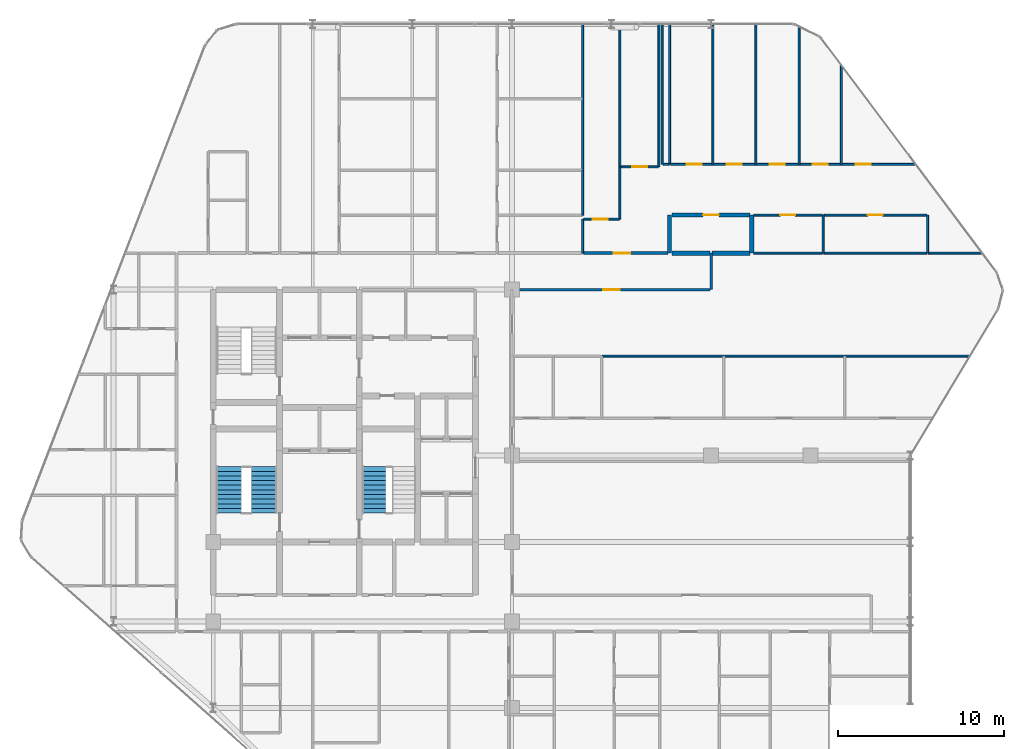
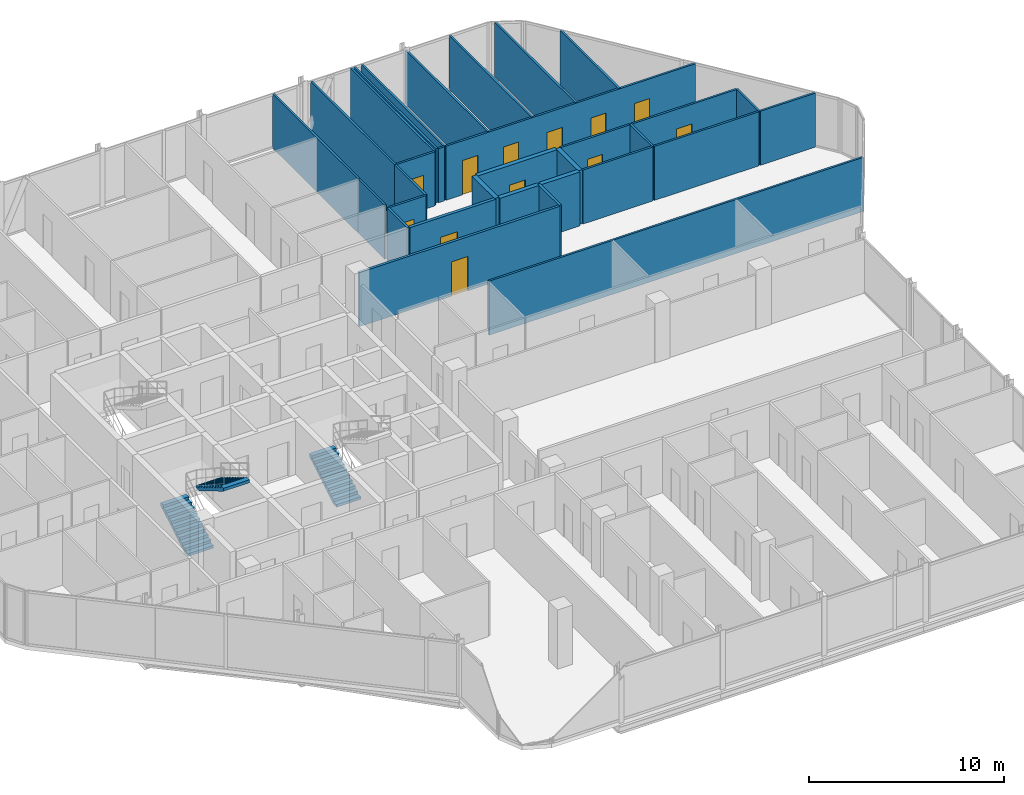
# One storey, part 30 of 32: 32 walls, 12 doors, 3 stair flights, 12 openings, 2 elements without a shape of their own.
"""IFC4 building model written with IfcOpenShell, lengths in metres."""

from ifc_helpers import new_model, si_unit, direction, frame, frame_2d, origin, place, context, subcontext, project, spatial, polyline, rectangle, outline, extrude, material, layer, layer_set, type_object, element, fill, aggregate, save


model = new_model("IFC4")

# Units and contexts
model_context = context("Model", 3, precision=1e-05, world=origin(), true_north=direction((0.0, 1.0)))
body_context = subcontext(model_context, "Body", "Model", "MODEL_VIEW")
ifc_project = project(units=[si_unit("LENGTHUNIT", "METRE"), si_unit("AREAUNIT", "SQUARE_METRE"), si_unit("VOLUMEUNIT", "CUBIC_METRE"), si_unit("PLANEANGLEUNIT", "RADIAN"), si_unit("MASSUNIT", "GRAM", prefix="KILO")], contexts=[model_context])

# Site, building, storey
site_placement = place(None, origin())
site = spatial("IfcSite", under=ifc_project, at=site_placement, CompositionType="ELEMENT")
building_placement = place(site_placement, origin())
building = spatial("IfcBuilding", under=site, at=building_placement, Name="Keshet Zoharim Tower", CompositionType="ELEMENT")
storey_placement = place(building_placement, frame((0.0, 0.0, 152.0)))
storey = spatial("IfcBuildingStorey", under=building, at=storey_placement, Name="L37", CompositionType="ELEMENT", Elevation=152.0)

# Wall
ifc_material_1 = material(Name="Gypsum Plasterboard", Category="gypsum")
ifc_layer_1 = layer(ifc_material_1, 0.14990234375)
ifc_layer_set_1 = layer_set([ifc_layer_1], Name="Gypsum Plasterboard")
wall_type_1 = type_object("IfcWallType", Name="WL-CLIN-150", PredefinedType="STANDARD", material=ifc_layer_set_1)
wall_1_placement = place(storey_placement, frame((45.0, 37.89990234375, 0.0), z_axis=(0.0, 0.0, 1.0), x_axis=(0.0, 1.0, 0.0)))
element("IfcWall", 1, at=wall_1_placement, inside=storey, type_object=wall_type_1, Name="L37 Interior Wall 094", PredefinedType="STANDARD", context=body_context, shape_type="SweptSolid", body=[
    extrude(rectangle(XDim=2.2001953125, YDim=0.14990234375, at=frame_2d((1.10009765625, 0.0))), origin(), (0.0, 0.0, 1.0), 3.385009765625),
])

# Wall, opening, door
wall_2_placement = place(storey_placement, frame((33.06005859375, 37.89990234375, 0.0), z_axis=(0.0, 0.0, 1.0), x_axis=(1.0, 0.0, 0.0)))
wall_2 = element("IfcWall", 2, at=wall_2_placement, inside=storey, type_object=wall_type_1, Name="L37 Interior Wall 191", PredefinedType="STANDARD", context=body_context, shape_type="SweptSolid", body=[
    extrude(rectangle(XDim=11.87890625, YDim=0.14990234375, at=frame_2d((5.939453125, 0.0))), origin(), (0.0, 0.0, 1.0), 3.385009765625),
])
opening_1_placement = place(wall_2_placement, frame((5.43896484375, 0.0, 0.0)))
opening_1 = element("IfcOpeningElement", 3, at=opening_1_placement, cuts=wall_2, Name="Opening D-F310", PredefinedType="OPENING", context=body_context, shape_type="SweptSolid", body=[
    extrude(rectangle(XDim=1.0, YDim=2.14990234375, at=frame_2d((0.5, 1.074951171875))), frame((0.0, 0.0849609375, 0.0), z_axis=(0.0, -1.0, 0.0), x_axis=(1.0, 0.0, 0.0)), (0.0, 0.0, 1.0), 0.169921875),
])
ifc_material_2 = material(Name="Hardwood Timber", Category="wood")
door_type_1 = type_object("IfcDoorType", Name="DR-FD30-100", OperationType="NOTDEFINED", PredefinedType="DOOR", material=ifc_material_2)
door_1_placement = place(opening_1_placement, origin())
door_1 = element("IfcDoor", 4, at=door_1_placement, inside=storey, type_object=door_type_1, Name="L37 North East Residents Services Suite Door 1", OperationType="SINGLE_SWING_LEFT", OverallHeight=2.14990234375, OverallWidth=1.0, PredefinedType="DOOR", context=body_context, shape_type="SweptSolid", body=[
    extrude(rectangle(XDim=1.0, YDim=2.14990234375, at=frame_2d((0.5, 1.074951171875))), frame((0.0, 0.02490234375, 0.0), z_axis=(0.0, -1.0, 0.0), x_axis=(1.0, 0.0, 0.0)), (0.0, 0.0, 1.0), 0.050048828125),
])
fill(opening_1, door_1)

ifc_layer_2 = layer(ifc_material_1, 0.179931640625)
ifc_layer_set_2 = layer_set([ifc_layer_2], Name="Gypsum Plasterboard")
wall_type_2 = type_object("IfcWallType", Name="WL-CORR-180", PredefinedType="STANDARD", material=ifc_layer_set_2)
wall_3_placement = place(storey_placement, frame((37.31494140625, 40.10009765625, 0.0), z_axis=(0.0, 0.0, 1.0), x_axis=(1.0, 0.0, 0.0)))
wall_3 = element("IfcWall", 5, at=wall_3_placement, inside=storey, type_object=wall_type_2, Name="L37 Interior Wall 201", PredefinedType="STANDARD", context=body_context, shape_type="SweptSolid", body=[
    extrude(rectangle(XDim=5.094970703125, YDim=0.179931640625, at=frame_2d((2.54736328125, 0.0))), origin(), (0.0, 0.0, 1.0), 3.385009765625),
])
opening_2_placement = place(wall_3_placement, frame((1.806884765625, 0.0, 0.0)))
opening_2 = element("IfcOpeningElement", 6, at=opening_2_placement, cuts=wall_3, Name="Opening D-F310", PredefinedType="OPENING", context=body_context, shape_type="SweptSolid", body=[
    extrude(rectangle(XDim=1.0, YDim=2.14990234375, at=frame_2d((0.5, 1.074951171875))), frame((0.0, 0.10009765625, 0.0), z_axis=(0.0, -1.0, 0.0), x_axis=(1.0, 0.0, 0.0)), (0.0, 0.0, 1.0), 0.199951171875),
])
door_2_placement = place(opening_2_placement, origin())
door_2 = element("IfcDoor", 7, at=door_2_placement, inside=storey, type_object=door_type_1, Name="Apartment 3709 Entrance Door", OperationType="SINGLE_SWING_LEFT", OverallHeight=2.14990234375, OverallWidth=1.0, PredefinedType="DOOR", context=body_context, shape_type="SweptSolid", body=[
    extrude(rectangle(XDim=1.0, YDim=2.14990234375, at=frame_2d((0.5, 1.074951171875))), frame((0.0, 0.02490234375, 0.0), z_axis=(0.0, -1.0, 0.0), x_axis=(1.0, 0.0, 0.0)), (0.0, 0.0, 1.0), 0.050048828125),
])
fill(opening_2, door_2)

# Walls
ifc_material_3 = material(Name="Concrete C50/60", Category="concrete")
ifc_layer_3 = layer(ifc_material_3, 0.25)
ifc_layer_set_3 = layer_set([ifc_layer_3], Name="Concrete C50/60")
wall_type_3 = type_object("IfcWallType", Name="WL-MAMAD-250", PredefinedType="STANDARD", material=ifc_layer_set_3)
for number, where, z_axis, x_axis, name in (
    (8, (42.5, 40.10009765625, 0.0), (0.0, 0.0, 1.0), (0.0, 1.0, 0.0), "L37 Interior Wall 092"),
    (9, (47.449951171875, 40.10009765625, 0.0), (0.0, 0.0, 1.0), (0.0, 1.0, 0.0), "L37 Interior Wall 100"),
):
    element("IfcWall", number, at=place(storey_placement, frame(where, z_axis=z_axis, x_axis=x_axis)), inside=storey, type_object=wall_type_3, Name=name, PredefinedType="STANDARD", context=body_context, shape_type="SweptSolid", body=[
        extrude(rectangle(XDim=2.2998046875, YDim=0.25, at=frame_2d((1.14990234375, 0.0))), origin(), (0.0, 0.0, 1.0), 3.385009765625),
    ])
wall_4_placement = place(storey_placement, frame((42.6298828125, 40.10009765625, 0.0), z_axis=(0.0, 0.0, 1.0), x_axis=(1.0, 0.0, 0.0)))
element("IfcWall", 10, at=wall_4_placement, inside=storey, type_object=wall_type_3, Name="L37 Interior Wall 202", PredefinedType="STANDARD", context=body_context, shape_type="SweptSolid", body=[
    extrude(rectangle(XDim=2.31005859375, YDim=0.25, at=frame_2d((1.155029296875, 0.0))), origin(), (0.0, 0.0, 1.0), 3.385009765625),
])
wall_5_placement = place(storey_placement, frame((45.06005859375, 40.10009765625, 0.0), z_axis=(0.0, 0.0, 1.0), x_axis=(1.0, 0.0, 0.0)))
element("IfcWall", 11, at=wall_5_placement, inside=storey, type_object=wall_type_3, Name="L37 Interior Wall 203", PredefinedType="STANDARD", context=body_context, shape_type="SweptSolid", body=[
    extrude(rectangle(XDim=2.284912109375, YDim=0.25, at=frame_2d((1.142578125, 0.0))), origin(), (0.0, 0.0, 1.0), 3.385009765625),
])

# Wall, opening, door
wall_6_placement = place(storey_placement, frame((42.6298828125, 42.39990234375, 0.0), z_axis=(0.0, 0.0, 1.0), x_axis=(1.0, 0.0, 0.0)))
wall_6 = element("IfcWall", 12, at=wall_6_placement, inside=storey, type_object=wall_type_3, Name="L37 Interior Wall 210", PredefinedType="STANDARD", context=body_context, shape_type="SweptSolid", body=[
    extrude(rectangle(XDim=4.715087890625, YDim=0.25, at=frame_2d((2.357421875, 0.0))), origin(), (0.0, 0.0, 1.0), 3.385009765625),
])
opening_3_placement = place(wall_6_placement, frame((1.883056640625, 0.0, 0.0)))
opening_3 = element("IfcOpeningElement", 13, at=opening_3_placement, cuts=wall_6, Name="Opening D-F695", PredefinedType="OPENING", context=body_context, shape_type="SweptSolid", body=[
    extrude(rectangle(XDim=0.949951171875, YDim=2.14990234375, at=frame_2d((0.47509765625, 1.074951171875))), frame((0.0, 0.135009765625, 0.0), z_axis=(0.0, -1.0, 0.0), x_axis=(1.0, 0.0, 0.0)), (0.0, 0.0, 1.0), 0.27001953125),
])
door_type_2 = type_object("IfcDoorType", Name="DR-FD60-095", OperationType="NOTDEFINED", PredefinedType="DOOR", material=ifc_material_2)
door_3_placement = place(opening_3_placement, origin())
door_3 = element("IfcDoor", 14, at=door_3_placement, inside=storey, type_object=door_type_2, Name="Apartment 3709 Study and Shelter Room Door", OperationType="SINGLE_SWING_LEFT", OverallHeight=2.14990234375, OverallWidth=0.949951171875, PredefinedType="DOOR", context=body_context, shape_type="SweptSolid", body=[
    extrude(rectangle(XDim=0.949951171875, YDim=2.14990234375, at=frame_2d((0.47509765625, 1.074951171875))), frame((0.0, 0.02490234375, 0.0), z_axis=(0.0, -1.0, 0.0), x_axis=(1.0, 0.0, 0.0)), (0.0, 0.0, 1.0), 0.050048828125),
])
fill(opening_3, door_3)

# Walls
ifc_layer_4 = layer(ifc_material_1, 0.1201171875)
ifc_layer_set_4 = layer_set([ifc_layer_4], Name="Gypsum Plasterboard")
wall_type_4 = type_object("IfcWallType", Name="WL-PART-120", PredefinedType="PARTITIONING", material=ifc_layer_set_4)
wall_7_placement = place(storey_placement, frame((37.25, 40.10009765625, 0.0), z_axis=(0.0, 0.0, 1.0), x_axis=(0.0, 1.0, 0.0)))
element("IfcWall", 15, at=wall_7_placement, inside=storey, type_object=wall_type_4, Name="L37 Interior Wall 078", PredefinedType="PARTITIONING", context=body_context, shape_type="SweptSolid", body=[
    extrude(rectangle(XDim=2.0498046875, YDim=0.1201171875, at=frame_2d((1.02490234375, 0.0))), origin(), (0.0, 0.0, 1.0), 3.385009765625),
])
wall_8_placement = place(storey_placement, frame((37.25, 45.10009765625, 0.0), z_axis=(0.0, 0.0, 1.0), x_axis=(0.0, 1.0, 0.0)))
element("IfcWall", 16, at=wall_8_placement, inside=storey, type_object=wall_type_4, Name="L37 Interior Wall 080", PredefinedType="PARTITIONING", context=body_context, shape_type="SweptSolid", body=[
    extrude(rectangle(XDim=8.789794921875, YDim=0.1201171875, at=frame_2d((4.39501953125, 0.0))), origin(), (0.0, 0.0, 1.0), 3.385009765625),
])
wall_9_placement = place(storey_placement, frame((39.5, 42.14990234375, 0.0), z_axis=(0.0, 0.0, 1.0), x_axis=(0.0, 1.0, 0.0)))
element("IfcWall", 17, at=wall_9_placement, inside=storey, type_object=wall_type_4, Name="L37 Interior Wall 085", PredefinedType="PARTITIONING", context=body_context, shape_type="SweptSolid", body=[
    extrude(rectangle(XDim=3.150146484375, YDim=0.1201171875, at=frame_2d((1.5751953125, 0.0))), origin(), (0.0, 0.0, 1.0), 3.385009765625),
])
for number, where, z_axis, x_axis, name in (
    (18, (39.5, 45.300048828125, 0.0), (0.0, 0.0, 1.0), (0.0, 1.0, 0.0), "L37 Interior Wall 086"),
    (19, (41.85009765625, 45.300048828125, 0.0), (0.0, 0.0, 1.0), (0.0, 1.0, 0.0), "L37 Interior Wall 087"),
):
    element("IfcWall", number, at=place(storey_placement, frame(where, z_axis=z_axis, x_axis=x_axis)), inside=storey, type_object=wall_type_4, Name=name, PredefinedType="PARTITIONING", context=body_context, shape_type="SweptSolid", body=[
        extrude(rectangle(XDim=8.58984375, YDim=0.1201171875, at=frame_2d((4.294921875, 0.0))), origin(), (0.0, 0.0, 1.0), 3.385009765625),
    ])
for number, where, z_axis, x_axis, name in (
    (20, (42.050048828125, 45.449951171875, 0.0), (0.0, 0.0, 1.0), (0.0, 1.0, 0.0), "L37 Interior Wall 091"),
    (21, (42.5, 45.449951171875, 0.0), (0.0, 0.0, 1.0), (0.0, 1.0, 0.0), "L37 Interior Wall 093"),
    (22, (45.10009765625, 45.449951171875, 0.0), (0.0, 0.0, 1.0), (0.0, 1.0, 0.0), "L37 Interior Wall 095"),
    (23, (47.699951171875, 45.449951171875, 0.0), (0.0, 0.0, 1.0), (0.0, 1.0, 0.0), "L37 Interior Wall 101"),
):
    element("IfcWall", number, at=place(storey_placement, frame(where, z_axis=z_axis, x_axis=x_axis)), inside=storey, type_object=wall_type_4, Name=name, PredefinedType="PARTITIONING", context=body_context, shape_type="SweptSolid", body=[
        extrude(rectangle(XDim=8.43994140625, YDim=0.1201171875, at=frame_2d((4.219970703125, 0.0))), origin(), (0.0, 0.0, 1.0), 3.385009765625),
    ])
wall_10_placement = place(storey_placement, frame((50.300048828125, 45.449951171875, 0.0), z_axis=(0.0, 0.0, 1.0), x_axis=(0.0, 1.0, 0.0)))
element("IfcWall", 24, at=wall_10_placement, inside=storey, type_object=wall_type_4, Name="L37 Interior Wall 105", PredefinedType="PARTITIONING", context=body_context, shape_type="SweptSolid", body=[
    extrude(rectangle(XDim=8.2900390625, YDim=0.1201171875, at=frame_2d((4.14501953125, 0.0))), origin(), (0.0, 0.0, 1.0), 3.385009765625),
])
wall_11_placement = place(storey_placement, frame((52.85009765625, 45.449951171875, 0.0), z_axis=(0.0, 0.0, 1.0), x_axis=(0.0, 1.0, 0.0)))
element("IfcWall", 25, at=wall_11_placement, inside=storey, type_object=wall_type_4, Name="L37 Interior Wall 110", PredefinedType="PARTITIONING", context=body_context, shape_type="SweptSolid", body=[
    extrude(rectangle(XDim=5.97314453125, YDim=0.1201171875, at=frame_2d((2.986572265625, 0.0))), origin(), (0.0, 0.0, 1.0), 3.385009765625),
])
wall_12_placement = place(storey_placement, frame((58.050048828125, 40.10009765625, 0.0), z_axis=(0.0, 0.0, 1.0), x_axis=(0.0, 1.0, 0.0)))
element("IfcWall", 26, at=wall_12_placement, inside=storey, type_object=wall_type_4, Name="L37 Interior Wall 113", PredefinedType="PARTITIONING", context=body_context, shape_type="SweptSolid", body=[
    extrude(rectangle(XDim=2.2998046875, YDim=0.1201171875, at=frame_2d((1.14990234375, 0.0))), origin(), (0.0, 0.0, 1.0), 3.385009765625),
])
wall_13_placement = place(storey_placement, frame((38.445068359375, 33.89990234375, 0.0), z_axis=(0.0, 0.0, 1.0), x_axis=(1.0, 0.0, 0.0)))
element("IfcWall", 27, at=wall_13_placement, inside=storey, type_object=wall_type_4, Name="L37 Interior Wall 181", PredefinedType="PARTITIONING", context=body_context, shape_type="SweptSolid", body=[
    extrude(rectangle(XDim=22.14501953125, YDim=0.1201171875, at=frame_2d((11.072509765625, 0.0))), origin(), (0.0, 0.0, 1.0), 3.385009765625),
])
wall_14_placement = place(storey_placement, frame((51.800048828125, 40.10009765625, 0.0), z_axis=(0.0, 0.0, 1.0), x_axis=(1.0, 0.0, 0.0)))
element("IfcWall", 28, at=wall_14_placement, inside=storey, type_object=wall_type_4, Name="L37 Interior Wall 205", PredefinedType="PARTITIONING", context=body_context, shape_type="SweptSolid", body=[
    extrude(rectangle(XDim=6.19287109375, YDim=0.1201171875, at=frame_2d((3.096435546875, 0.0))), origin(), (0.0, 0.0, 1.0), 3.385009765625),
])
wall_15_placement = place(storey_placement, frame((58.0830078125, 40.10009765625, 0.0), z_axis=(0.0, 0.0, 1.0), x_axis=(1.0, 0.0, 0.0)))
element("IfcWall", 29, at=wall_15_placement, inside=storey, type_object=wall_type_4, Name="L37 Interior Wall 206", PredefinedType="PARTITIONING", context=body_context, shape_type="SweptSolid", body=[
    extrude(rectangle(XDim=3.257080078125, YDim=0.1201171875, at=frame_2d((1.62841796875, 0.0))), origin(), (0.0, 0.0, 1.0), 3.385009765625),
])

# Wall, opening, door
wall_16_placement = place(storey_placement, frame((37.31494140625, 42.14990234375, 0.0), z_axis=(0.0, 0.0, 1.0), x_axis=(1.0, 0.0, 0.0)))
wall_16 = element("IfcWall", 30, at=wall_16_placement, inside=storey, type_object=wall_type_4, Name="L37 Interior Wall 207", PredefinedType="PARTITIONING", context=body_context, shape_type="SweptSolid", body=[
    extrude(rectangle(XDim=2.16015625, YDim=0.1201171875, at=frame_2d((1.080078125, 0.0))), origin(), (0.0, 0.0, 1.0), 3.385009765625),
])
opening_4_placement = place(wall_16_placement, frame((0.552978515625, 0.0, 0.0)))
opening_4 = element("IfcOpeningElement", 31, at=opening_4_placement, cuts=wall_16, Name="Opening D-IN90", PredefinedType="OPENING", context=body_context, shape_type="SweptSolid", body=[
    extrude(rectangle(XDim=0.89990234375, YDim=2.14990234375, at=frame_2d((0.449951171875, 1.074951171875))), frame((0.0, 0.070068359375, 0.0), z_axis=(0.0, -1.0, 0.0), x_axis=(1.0, 0.0, 0.0)), (0.0, 0.0, 1.0), 0.14013671875),
])
door_type_3 = type_object("IfcDoorType", Name="DR-INT-090", OperationType="NOTDEFINED", PredefinedType="DOOR", material=ifc_material_2)
door_4_placement = place(opening_4_placement, origin())
door_4 = element("IfcDoor", 32, at=door_4_placement, inside=storey, type_object=door_type_3, Name="Apartment 3709 Formal Dining Room Door", OperationType="SINGLE_SWING_RIGHT", OverallHeight=2.14990234375, OverallWidth=0.89990234375, PredefinedType="DOOR", context=body_context, shape_type="SweptSolid", body=[
    extrude(rectangle(XDim=0.89990234375, YDim=2.14990234375, at=frame_2d((0.449951171875, 1.074951171875))), frame((0.0, 0.02490234375, 0.0), z_axis=(0.0, -1.0, 0.0), x_axis=(1.0, 0.0, 0.0)), (0.0, 0.0, 1.0), 0.050048828125),
])
fill(opening_4, door_4)

wall_17_placement = place(storey_placement, frame((51.800048828125, 42.39990234375, 0.0), z_axis=(0.0, 0.0, 1.0), x_axis=(1.0, 0.0, 0.0)))
wall_17 = element("IfcWall", 33, at=wall_17_placement, inside=storey, type_object=wall_type_4, Name="L37 Interior Wall 212", PredefinedType="PARTITIONING", context=body_context, shape_type="SweptSolid", body=[
    extrude(rectangle(XDim=6.19287109375, YDim=0.1201171875, at=frame_2d((3.096435546875, 0.0))), origin(), (0.0, 0.0, 1.0), 3.385009765625),
])
opening_5_placement = place(wall_17_placement, frame((2.64697265625, 0.0, 0.0)))
opening_5 = element("IfcOpeningElement", 34, at=opening_5_placement, cuts=wall_17, Name="Opening D-IN90", PredefinedType="OPENING", context=body_context, shape_type="SweptSolid", body=[
    extrude(rectangle(XDim=0.89990234375, YDim=2.14990234375, at=frame_2d((0.449951171875, 1.074951171875))), frame((0.0, 0.070068359375, 0.0), z_axis=(0.0, -1.0, 0.0), x_axis=(1.0, 0.0, 0.0)), (0.0, 0.0, 1.0), 0.14013671875),
])
door_5_placement = place(opening_5_placement, origin())
door_5 = element("IfcDoor", 35, at=door_5_placement, inside=storey, type_object=door_type_3, Name="Apartment 3709 Kitchen Door", OperationType="SINGLE_SWING_LEFT", OverallHeight=2.14990234375, OverallWidth=0.89990234375, PredefinedType="DOOR", context=body_context, shape_type="SweptSolid", body=[
    extrude(rectangle(XDim=0.89990234375, YDim=2.14990234375, at=frame_2d((0.449951171875, 1.074951171875))), frame((0.0, 0.02490234375, 0.0), z_axis=(0.0, -1.0, 0.0), x_axis=(1.0, 0.0, 0.0)), (0.0, 0.0, 1.0), 0.050048828125),
])
fill(opening_5, door_5)

wall_18_placement = place(storey_placement, frame((39.56494140625, 45.300048828125, 0.0), z_axis=(0.0, 0.0, 1.0), x_axis=(1.0, 0.0, 0.0)))
wall_18 = element("IfcWall", 36, at=wall_18_placement, inside=storey, type_object=wall_type_4, Name="L37 Interior Wall 216", PredefinedType="PARTITIONING", context=body_context, shape_type="SweptSolid", body=[
    extrude(rectangle(XDim=2.260009765625, YDim=0.1201171875, at=frame_2d((1.1298828125, 0.0))), origin(), (0.0, 0.0, 1.0), 3.385009765625),
])
opening_6_placement = place(wall_18_placement, frame((0.679931640625, 0.0, 0.0)))
opening_6 = element("IfcOpeningElement", 37, at=opening_6_placement, cuts=wall_18, Name="Opening D-IN90", PredefinedType="OPENING", context=body_context, shape_type="SweptSolid", body=[
    extrude(rectangle(XDim=0.89990234375, YDim=2.14990234375, at=frame_2d((0.449951171875, 1.074951171875))), frame((0.0, 0.070068359375, 0.0), z_axis=(0.0, -1.0, 0.0), x_axis=(1.0, 0.0, 0.0)), (0.0, 0.0, 1.0), 0.14013671875),
])
door_6_placement = place(opening_6_placement, origin())
door_6 = element("IfcDoor", 38, at=door_6_placement, inside=storey, type_object=door_type_3, Name="Apartment 3709 Home Study Room Door", OperationType="SINGLE_SWING_RIGHT", OverallHeight=2.14990234375, OverallWidth=0.89990234375, PredefinedType="DOOR", context=body_context, shape_type="SweptSolid", body=[
    extrude(rectangle(XDim=0.89990234375, YDim=2.14990234375, at=frame_2d((0.449951171875, 1.074951171875))), frame((0.0, 0.02490234375, 0.0), z_axis=(0.0, -1.0, 0.0), x_axis=(1.0, 0.0, 0.0)), (0.0, 0.0, 1.0), 0.050048828125),
])
fill(opening_6, door_6)

# Wall
wall_19_placement = place(storey_placement, frame((42.114990234375, 45.449951171875, 0.0), z_axis=(0.0, 0.0, 1.0), x_axis=(1.0, 0.0, 0.0)))
element("IfcWall", 39, at=wall_19_placement, inside=storey, type_object=wall_type_4, Name="L37 Interior Wall 217", PredefinedType="PARTITIONING", context=body_context, shape_type="SweptSolid", body=[
    extrude(rectangle(XDim=0.360107421875, YDim=0.1201171875, at=frame_2d((0.18017578125, 0.0))), origin(), (0.0, 0.0, 1.0), 3.385009765625),
])

# Wall, openings, doors
wall_20_placement = place(storey_placement, frame((42.56494140625, 45.449951171875, 0.0), z_axis=(0.0, 0.0, 1.0), x_axis=(1.0, 0.0, 0.0)))
wall_20 = element("IfcWall", 40, at=wall_20_placement, inside=storey, type_object=wall_type_4, Name="L37 Interior Wall 218", PredefinedType="PARTITIONING", context=body_context, shape_type="SweptSolid", body=[
    extrude(rectangle(XDim=14.762939453125, YDim=0.1201171875, at=frame_2d((7.38134765625, 0.0))), origin(), (0.0, 0.0, 1.0), 3.385009765625),
])
opening_7_placement = place(wall_20_placement, frame((0.972900390625, 0.0, 0.0)))
opening_7 = element("IfcOpeningElement", 41, at=opening_7_placement, cuts=wall_20, Name="Opening D-IN90", PredefinedType="OPENING", context=body_context, shape_type="SweptSolid", body=[
    extrude(rectangle(XDim=0.89990234375, YDim=2.14990234375, at=frame_2d((0.449951171875, 1.074951171875))), frame((0.0, 0.070068359375, 0.0), z_axis=(0.0, -1.0, 0.0), x_axis=(1.0, 0.0, 0.0)), (0.0, 0.0, 1.0), 0.14013671875),
])
opening_8_placement = place(wall_20_placement, frame((3.385009765625, 0.0, 0.0)))
opening_8 = element("IfcOpeningElement", 42, at=opening_8_placement, cuts=wall_20, Name="Opening D-IN90", PredefinedType="OPENING", context=body_context, shape_type="SweptSolid", body=[
    extrude(rectangle(XDim=0.89990234375, YDim=2.14990234375, at=frame_2d((0.449951171875, 1.074951171875))), frame((0.0, 0.070068359375, 0.0), z_axis=(0.0, -1.0, 0.0), x_axis=(1.0, 0.0, 0.0)), (0.0, 0.0, 1.0), 0.14013671875),
])
opening_9_placement = place(wall_20_placement, frame((5.970947265625, 0.0, 0.0)))
opening_9 = element("IfcOpeningElement", 43, at=opening_9_placement, cuts=wall_20, Name="Opening D-IN90", PredefinedType="OPENING", context=body_context, shape_type="SweptSolid", body=[
    extrude(rectangle(XDim=0.89990234375, YDim=2.14990234375, at=frame_2d((0.449951171875, 1.074951171875))), frame((0.0, 0.070068359375, 0.0), z_axis=(0.0, -1.0, 0.0), x_axis=(1.0, 0.0, 0.0)), (0.0, 0.0, 1.0), 0.14013671875),
])
opening_10_placement = place(wall_20_placement, frame((8.556884765625, 0.0, 0.0)))
opening_10 = element("IfcOpeningElement", 44, at=opening_10_placement, cuts=wall_20, Name="Opening D-IN90", PredefinedType="OPENING", context=body_context, shape_type="SweptSolid", body=[
    extrude(rectangle(XDim=0.89990234375, YDim=2.14990234375, at=frame_2d((0.449951171875, 1.074951171875))), frame((0.0, 0.070068359375, 0.0), z_axis=(0.0, -1.0, 0.0), x_axis=(1.0, 0.0, 0.0)), (0.0, 0.0, 1.0), 0.14013671875),
])
opening_11_placement = place(wall_20_placement, frame((11.14404296875, 0.0, 0.0)))
opening_11 = element("IfcOpeningElement", 45, at=opening_11_placement, cuts=wall_20, Name="Opening D-IN90", PredefinedType="OPENING", context=body_context, shape_type="SweptSolid", body=[
    extrude(rectangle(XDim=0.89990234375, YDim=2.14990234375, at=frame_2d((0.449951171875, 1.074951171875))), frame((0.0, 0.070068359375, 0.0), z_axis=(0.0, -1.0, 0.0), x_axis=(1.0, 0.0, 0.0)), (0.0, 0.0, 1.0), 0.14013671875),
])
door_7_placement = place(opening_7_placement, origin())
door_7 = element("IfcDoor", 46, at=door_7_placement, inside=storey, type_object=door_type_3, Name="Apartment 3709 Bedroom 1 Door", OperationType="SINGLE_SWING_LEFT", OverallHeight=2.14990234375, OverallWidth=0.89990234375, PredefinedType="DOOR", context=body_context, shape_type="SweptSolid", body=[
    extrude(rectangle(XDim=0.89990234375, YDim=2.14990234375, at=frame_2d((0.449951171875, 1.074951171875))), frame((0.0, 0.02490234375, 0.0), z_axis=(0.0, -1.0, 0.0), x_axis=(1.0, 0.0, 0.0)), (0.0, 0.0, 1.0), 0.050048828125),
])
fill(opening_7, door_7)
door_8_placement = place(opening_8_placement, origin())
door_8 = element("IfcDoor", 47, at=door_8_placement, inside=storey, type_object=door_type_3, Name="Apartment 3709 Bedroom 2 Door", OperationType="SINGLE_SWING_RIGHT", OverallHeight=2.14990234375, OverallWidth=0.89990234375, PredefinedType="DOOR", context=body_context, shape_type="SweptSolid", body=[
    extrude(rectangle(XDim=0.89990234375, YDim=2.14990234375, at=frame_2d((0.449951171875, 1.074951171875))), frame((0.0, 0.02490234375, 0.0), z_axis=(0.0, -1.0, 0.0), x_axis=(1.0, 0.0, 0.0)), (0.0, 0.0, 1.0), 0.050048828125),
])
fill(opening_8, door_8)
door_9_placement = place(opening_9_placement, origin())
door_9 = element("IfcDoor", 48, at=door_9_placement, inside=storey, type_object=door_type_3, Name="Apartment 3709 Bedroom 3 Door", OperationType="SINGLE_SWING_LEFT", OverallHeight=2.14990234375, OverallWidth=0.89990234375, PredefinedType="DOOR", context=body_context, shape_type="SweptSolid", body=[
    extrude(rectangle(XDim=0.89990234375, YDim=2.14990234375, at=frame_2d((0.449951171875, 1.074951171875))), frame((0.0, 0.02490234375, 0.0), z_axis=(0.0, -1.0, 0.0), x_axis=(1.0, 0.0, 0.0)), (0.0, 0.0, 1.0), 0.050048828125),
])
fill(opening_9, door_9)
door_10_placement = place(opening_10_placement, origin())
door_10 = element("IfcDoor", 49, at=door_10_placement, inside=storey, type_object=door_type_3, Name="Apartment 3709 Bedroom 4 Door", OperationType="SINGLE_SWING_RIGHT", OverallHeight=2.14990234375, OverallWidth=0.89990234375, PredefinedType="DOOR", context=body_context, shape_type="SweptSolid", body=[
    extrude(rectangle(XDim=0.89990234375, YDim=2.14990234375, at=frame_2d((0.449951171875, 1.074951171875))), frame((0.0, 0.02490234375, 0.0), z_axis=(0.0, -1.0, 0.0), x_axis=(1.0, 0.0, 0.0)), (0.0, 0.0, 1.0), 0.050048828125),
])
fill(opening_10, door_10)
door_11_placement = place(opening_11_placement, origin())
door_11 = element("IfcDoor", 50, at=door_11_placement, inside=storey, type_object=door_type_3, Name="Apartment 3709 Bedroom 5 Door", OperationType="SINGLE_SWING_LEFT", OverallHeight=2.14990234375, OverallWidth=0.89990234375, PredefinedType="DOOR", context=body_context, shape_type="SweptSolid", body=[
    extrude(rectangle(XDim=0.89990234375, YDim=2.14990234375, at=frame_2d((0.449951171875, 1.074951171875))), frame((0.0, 0.02490234375, 0.0), z_axis=(0.0, -1.0, 0.0), x_axis=(1.0, 0.0, 0.0)), (0.0, 0.0, 1.0), 0.050048828125),
])
fill(opening_11, door_11)

# Walls
ifc_layer_5 = layer(ifc_material_1, 0.1201171875)
ifc_layer_set_5 = layer_set([ifc_layer_5], Name="Gypsum Plasterboard")
wall_type_5 = type_object("IfcWallType", Name="WL-WET-120", PredefinedType="PARTITIONING", material=ifc_layer_set_5)
wall_21_placement = place(storey_placement, frame((37.25, 42.39990234375, 0.0), z_axis=(0.0, 0.0, 1.0), x_axis=(0.0, 1.0, 0.0)))
element("IfcWall", 51, at=wall_21_placement, inside=storey, type_object=wall_type_5, Name="L37 Interior Wall 079", PredefinedType="PARTITIONING", context=body_context, shape_type="SweptSolid", body=[
    extrude(rectangle(XDim=2.7001953125, YDim=0.1201171875, at=frame_2d((1.35009765625, 0.0))), origin(), (0.0, 0.0, 1.0), 3.385009765625),
])
wall_22_placement = place(storey_placement, frame((51.75, 40.10009765625, 0.0), z_axis=(0.0, 0.0, 1.0), x_axis=(0.0, 1.0, 0.0)))
element("IfcWall", 52, at=wall_22_placement, inside=storey, type_object=wall_type_5, Name="L37 Interior Wall 106", PredefinedType="PARTITIONING", context=body_context, shape_type="SweptSolid", body=[
    extrude(rectangle(XDim=2.2998046875, YDim=0.1201171875, at=frame_2d((1.14990234375, 0.0))), origin(), (0.0, 0.0, 1.0), 3.385009765625),
])
wall_23_placement = place(storey_placement, frame((47.56494140625, 40.10009765625, 0.0), z_axis=(0.0, 0.0, 1.0), x_axis=(1.0, 0.0, 0.0)))
element("IfcWall", 53, at=wall_23_placement, inside=storey, type_object=wall_type_5, Name="L37 Interior Wall 204", PredefinedType="PARTITIONING", context=body_context, shape_type="SweptSolid", body=[
    extrude(rectangle(XDim=4.14501953125, YDim=0.1201171875, at=frame_2d((2.072509765625, 0.0))), origin(), (0.0, 0.0, 1.0), 3.385009765625),
])

# Wall, opening, door
wall_24_placement = place(storey_placement, frame((47.56494140625, 42.39990234375, 0.0), z_axis=(0.0, 0.0, 1.0), x_axis=(1.0, 0.0, 0.0)))
wall_24 = element("IfcWall", 54, at=wall_24_placement, inside=storey, type_object=wall_type_5, Name="L37 Interior Wall 211", PredefinedType="PARTITIONING", context=body_context, shape_type="SweptSolid", body=[
    extrude(rectangle(XDim=4.14501953125, YDim=0.1201171875, at=frame_2d((2.072509765625, 0.0))), origin(), (0.0, 0.0, 1.0), 3.385009765625),
])
opening_12_placement = place(wall_24_placement, frame((1.590087890625, 0.0, 0.0)))
opening_12 = element("IfcOpeningElement", 55, at=opening_12_placement, cuts=wall_24, Name="Opening D-WT90", PredefinedType="OPENING", context=body_context, shape_type="SweptSolid", body=[
    extrude(rectangle(XDim=0.89990234375, YDim=2.10009765625, at=frame_2d((0.449951171875, 1.050048828125))), frame((0.0, 0.070068359375, 0.0), z_axis=(0.0, -1.0, 0.0), x_axis=(1.0, 0.0, 0.0)), (0.0, 0.0, 1.0), 0.14013671875),
])
door_type_4 = type_object("IfcDoorType", Name="DR-WET-090", OperationType="NOTDEFINED", PredefinedType="DOOR", material=ifc_material_2)
door_12_placement = place(opening_12_placement, origin())
door_12 = element("IfcDoor", 56, at=door_12_placement, inside=storey, type_object=door_type_4, Name="Apartment 3709 Bathroom Door", OperationType="SINGLE_SWING_RIGHT", OverallHeight=2.10009765625, OverallWidth=0.89990234375, PredefinedType="DOOR", context=body_context, shape_type="SweptSolid", body=[
    extrude(rectangle(XDim=0.89990234375, YDim=2.10009765625, at=frame_2d((0.449951171875, 1.050048828125))), frame((0.0, 0.02490234375, 0.0), z_axis=(0.0, -1.0, 0.0), x_axis=(1.0, 0.0, 0.0)), (0.0, 0.0, 1.0), 0.050048828125),
])
fill(opening_12, door_12)

# Stair, stair flights
stair_type = type_object("IfcStairType", Name="STR-EXIT-135", PredefinedType="HALF_TURN_STAIR", material=ifc_material_3)
stair_1_placement = place(storey_placement, origin())
stair_1 = element("IfcStair", 57, at=stair_1_placement, inside=storey, type_object=stair_type, Name="L37 Enclosed Exit Stair ST-01", PredefinedType="HALF_TURN_STAIR")
stair_flight_type_1 = type_object("IfcStairFlightType", Name="FLT-PRE-135", PredefinedType="STRAIGHT", material=ifc_material_3)
stair_flight_1_placement = place(storey_placement, frame((15.945068359375, 24.43994140625, 0.0), z_axis=(0.0, 0.0, 1.0), x_axis=(0.0, 1.0, 0.0)))
stair_flight_1 = element("IfcStairFlight", 58, at=stair_flight_1_placement, type_object=stair_flight_type_1, Name="ST-01 flight 1", NumberOfRisers=11, NumberOfTreads=10, PredefinedType="STRAIGHT", RiserHeight=0.168182, TreadLength=0.28, context=body_context, shape_type="SweptSolid", body=[
    extrude(outline(polyline([(0.0, 0.0), (0.0, 0.168212890625), (0.280029296875, 0.168212890625), (0.280029296875, 0.33642578125), (0.56005859375, 0.33642578125), (0.56005859375, 0.504638671875), (0.840087890625, 0.504638671875), (0.840087890625, 0.672607421875), (1.1201171875, 0.672607421875), (1.1201171875, 0.8408203125), (1.39990234375, 0.8408203125), (1.39990234375, 1.009033203125), (1.679931640625, 1.009033203125), (1.679931640625, 1.17724609375), (1.9599609375, 1.17724609375), (1.9599609375, 1.345458984375), (2.239990234375, 1.345458984375), (2.239990234375, 1.513671875), (2.52001953125, 1.513671875), (2.52001953125, 1.681884765625), (2.800048828125, 1.681884765625), (2.800048828125, 1.85009765625), (2.800048828125, 1.495361328125), (0.310546875, 0.0), (0.0, 0.0)])), frame((0.0, 0.76513671875, 0.0), z_axis=(0.0, -1.0, 0.0), x_axis=(1.0, 0.0, 0.0)), (0.0, 0.0, 1.0), 1.530029296875),
])
stair_flight_2_placement = place(storey_placement, frame((18.054931640625, 27.239990234375, 1.85009765625), z_axis=(0.0, 0.0, 1.0), x_axis=(0.0, -1.0, 0.0)))
stair_flight_2 = element("IfcStairFlight", 59, at=stair_flight_2_placement, type_object=stair_flight_type_1, Name="ST-01 flight 2", NumberOfRisers=11, NumberOfTreads=10, PredefinedType="STRAIGHT", RiserHeight=0.168182, TreadLength=0.28, context=body_context, shape_type="SweptSolid", body=[
    extrude(outline(polyline([(0.0, 0.0), (0.0, 0.168212890625), (0.280029296875, 0.168212890625), (0.280029296875, 0.33642578125), (0.56005859375, 0.33642578125), (0.56005859375, 0.504638671875), (0.840087890625, 0.504638671875), (0.840087890625, 0.672607421875), (1.1201171875, 0.672607421875), (1.1201171875, 0.8408203125), (1.39990234375, 0.8408203125), (1.39990234375, 1.009033203125), (1.679931640625, 1.009033203125), (1.679931640625, 1.17724609375), (1.9599609375, 1.17724609375), (1.9599609375, 1.345458984375), (2.239990234375, 1.345458984375), (2.239990234375, 1.513671875), (2.52001953125, 1.513671875), (2.52001953125, 1.681884765625), (2.800048828125, 1.681884765625), (2.800048828125, 1.85009765625), (2.800048828125, 1.495361328125), (0.310546875, 0.0), (0.0, 0.0)])), frame((0.0, 0.76513671875, 0.0), z_axis=(0.0, -1.0, 0.0), x_axis=(1.0, 0.0, 0.0)), (0.0, 0.0, 1.0), 1.530029296875),
])
aggregate(stair_1, [stair_flight_1, stair_flight_2])

# Stair, stair flight
stair_2_placement = place(storey_placement, origin())
stair_2 = element("IfcStair", 60, at=stair_2_placement, inside=storey, type_object=stair_type, Name="L37 Enclosed Exit Stair ST-03", PredefinedType="HALF_TURN_STAIR")
stair_flight_type_2 = type_object("IfcStairFlightType", Name="FLT-PRE-144", PredefinedType="STRAIGHT", material=ifc_material_3)
stair_flight_3_placement = place(storey_placement, frame((24.699951171875, 24.43994140625, 0.0), z_axis=(0.0, 0.0, 1.0), x_axis=(0.0, 1.0, 0.0)))
stair_flight_3 = element("IfcStairFlight", 61, at=stair_flight_3_placement, type_object=stair_flight_type_2, Name="ST-03 flight 1", NumberOfRisers=11, NumberOfTreads=10, PredefinedType="STRAIGHT", RiserHeight=0.168182, TreadLength=0.28, context=body_context, shape_type="SweptSolid", body=[
    extrude(outline(polyline([(0.0, 0.0), (0.0, 0.168212890625), (0.280029296875, 0.168212890625), (0.280029296875, 0.33642578125), (0.56005859375, 0.33642578125), (0.56005859375, 0.504638671875), (0.840087890625, 0.504638671875), (0.840087890625, 0.672607421875), (1.1201171875, 0.672607421875), (1.1201171875, 0.8408203125), (1.39990234375, 0.8408203125), (1.39990234375, 1.009033203125), (1.679931640625, 1.009033203125), (1.679931640625, 1.17724609375), (1.9599609375, 1.17724609375), (1.9599609375, 1.345458984375), (2.239990234375, 1.345458984375), (2.239990234375, 1.513671875), (2.52001953125, 1.513671875), (2.52001953125, 1.681884765625), (2.800048828125, 1.681884765625), (2.800048828125, 1.85009765625), (2.800048828125, 1.495361328125), (0.310546875, 0.0), (0.0, 0.0)])), frame((0.0, 0.719970703125, 0.0), z_axis=(0.0, -1.0, 0.0), x_axis=(1.0, 0.0, 0.0)), (0.0, 0.0, 1.0), 1.43994140625),
])
aggregate(stair_2, [stair_flight_3])

save(model, "model.ifc")
